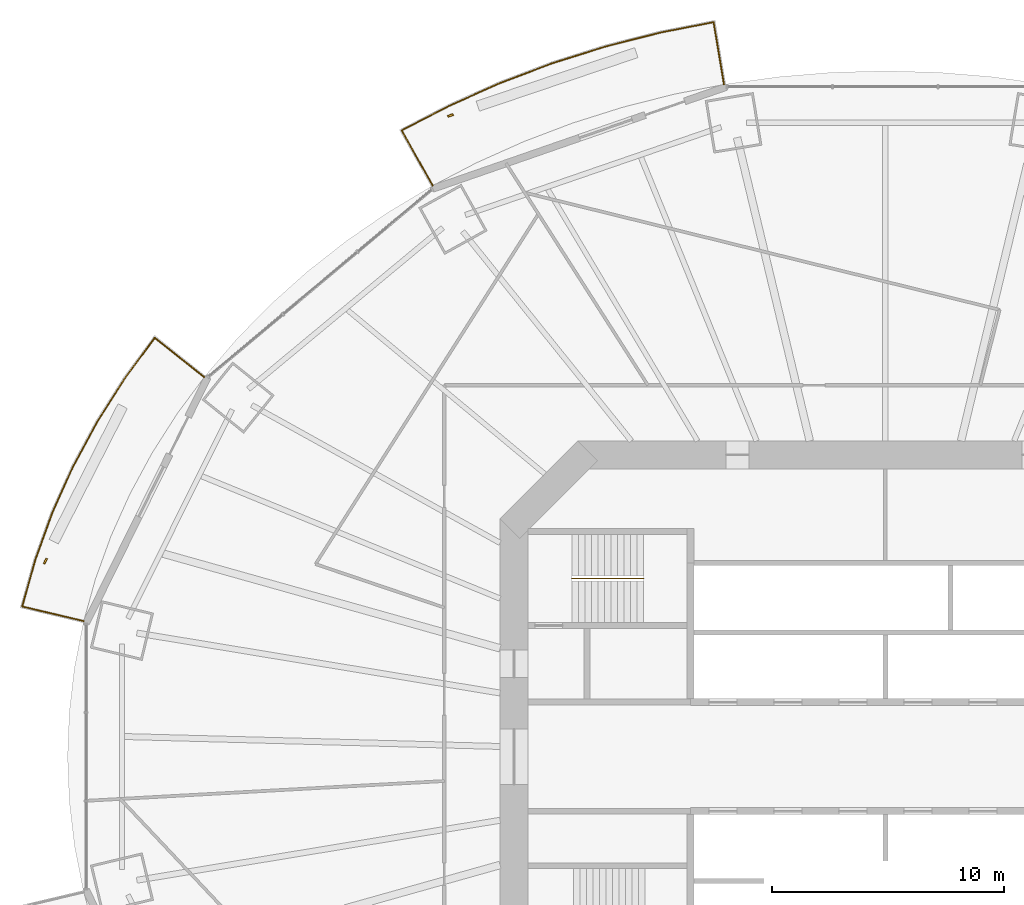
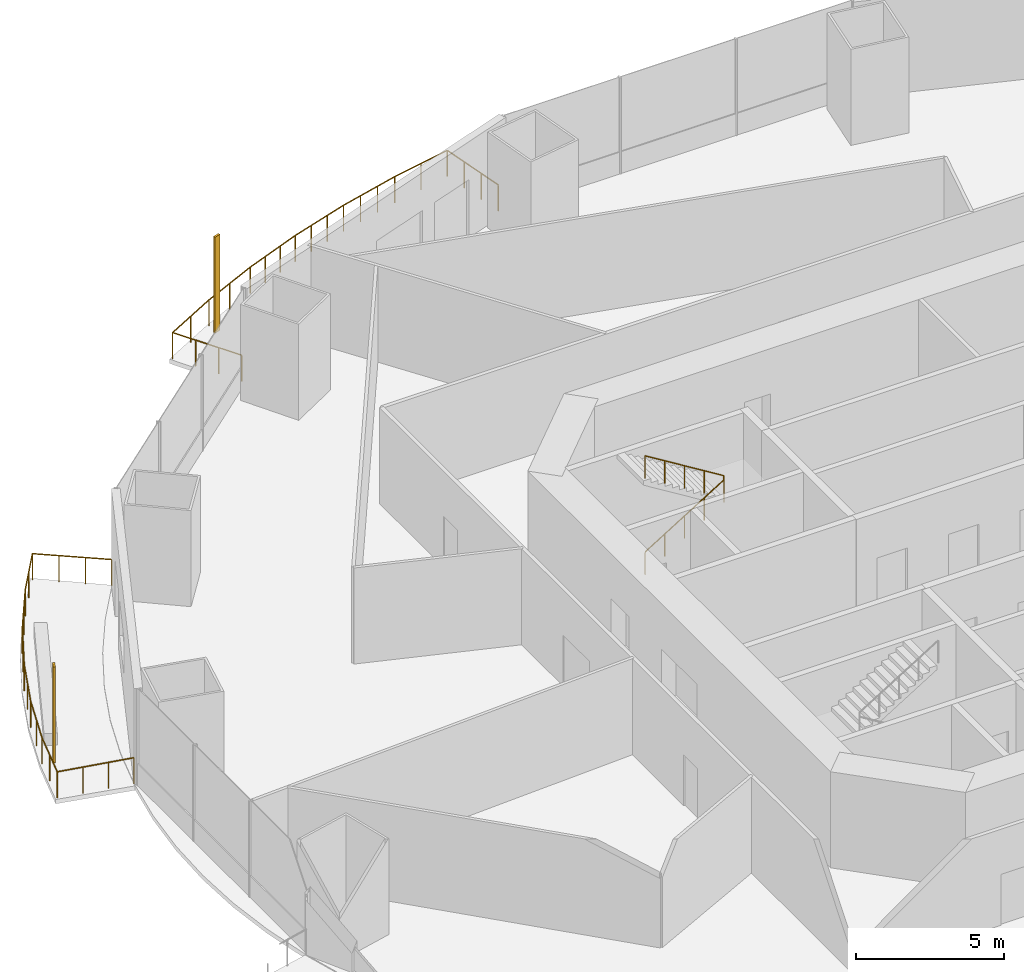
# One storey, part 19 of 22: 3 railings, 2 shading devices.
"""IFC4 building model written with IfcOpenShell, lengths in metres."""

from ifc_helpers import new_model, si_unit, direction, frame, origin, origin_2d, place, context, subcontext, project, spatial, rectangle, circle, extrude, material, material_profile, profile_set, type_object, element, save


model = new_model("IFC4")

# Units and contexts
model_context = context("Model", 3, precision=1e-05, world=origin(), true_north=direction((0.0, 1.0)))
body_context = subcontext(model_context, "Body", "Model", "MODEL_VIEW")
ifc_project = project(units=[si_unit("LENGTHUNIT", "METRE"), si_unit("AREAUNIT", "SQUARE_METRE"), si_unit("VOLUMEUNIT", "CUBIC_METRE"), si_unit("PLANEANGLEUNIT", "RADIAN"), si_unit("MASSUNIT", "GRAM", prefix="KILO")], contexts=[model_context])

# Site, building, storey
site_placement = place(None, origin())
site = spatial("IfcSite", under=ifc_project, at=site_placement, CompositionType="ELEMENT")
building_placement = place(site_placement, origin())
building = spatial("IfcBuilding", under=site, at=building_placement, Name="Marenthal Gate Tower", CompositionType="ELEMENT")
storey_placement = place(building_placement, frame((0.0, 0.0, 82.800048828125)))
storey = spatial("IfcBuildingStorey", under=building, at=storey_placement, Name="L16", CompositionType="ELEMENT", Elevation=82.800048828125)

# Railings
ifc_material_1 = material(Name="Stainless steel", Category="steel")
railing_type_1 = type_object("IfcRailingType", Name="Balcony guard 1100", PredefinedType="GUARDRAIL", material=ifc_material_1)
railing_1_placement = place(storey_placement, frame((-19.50341796875, 24.59912109375, 0.0)))
element("IfcRailing", 1, at=railing_1_placement, inside=storey, type_object=railing_type_1, Name="Balcony guard L16 bay 5", PredefinedType="GUARDRAIL", context=body_context, shape_type="SweptSolid", body=[
    extrude(circle(Radius=0.02392578125, at=origin_2d()), frame((0.0, 0.0, 1.076171875), z_axis=(-0.489023148101, 0.872146623829, -0.01471825955), x_axis=(-0.872241104505, -0.489076124557, 0.0)), (0.0, 0.0, 1.0), 2.720458984375),
    extrude(circle(Radius=0.02392578125, at=origin_2d()), frame((-1.330322265625, 2.37255859375, 1.0361328125), z_axis=(0.887216801235, 0.461352736642, 0.0), x_axis=(-0.461352736642, 0.887216801235, 0.0)), (0.0, 0.0, 1.0), 2.290771484375),
    extrude(circle(Radius=0.02392578125, at=origin_2d()), frame((0.7021484375, 3.429443359375, 1.0361328125), z_axis=(0.912542222384, 0.408982508631, 0.0), x_axis=(-0.408982508631, 0.912542222384, 0.0)), (0.0, 0.0, 1.0), 2.3876953125),
    extrude(circle(Radius=0.02392578125, at=origin_2d()), frame((2.881103515625, 4.406005859375, 1.0361328125), z_axis=(0.934801116304, 0.355171610573, 0.0), x_axis=(-0.355171610573, 0.934801116304, 0.0)), (0.0, 0.0, 1.0), 2.40380859375),
    extrude(circle(Radius=0.02392578125, at=origin_2d()), frame((5.128173828125, 5.259765625, 1.0361328125), z_axis=(0.953649791478, 0.300918718616, 0.0), x_axis=(-0.300918718616, 0.953649791478, 0.0)), (0.0, 0.0, 1.0), 2.417724609375),
    extrude(circle(Radius=0.02392578125, at=origin_2d()), frame((7.433837890625, 5.9873046875, 1.0361328125), z_axis=(0.969141273658, 0.246505966848, 0.0), x_axis=(-0.246505966848, 0.969141273658, 0.0)), (0.0, 0.0, 1.0), 2.429443359375),
    extrude(circle(Radius=0.02392578125, at=origin_2d()), frame((9.788330078125, 6.586181640625, 1.0361328125), z_axis=(0.981243578155, 0.19277199052, 0.0), x_axis=(-0.19277199052, 0.981243578155, 0.0)), (0.0, 0.0, 1.0), 2.359375),
    extrude(circle(Radius=0.02392578125, at=origin_2d()), frame((12.103515625, 7.041015625, 1.0361328125), z_axis=(0.164599482451, -0.986250661205, 0.014718819587), x_axis=(0.986357511038, 0.164617315064, 0.0)), (0.0, 0.0, 1.0), 2.72021484375),
    extrude(circle(Radius=0.02099609375, at=origin_2d()), origin(), (0.0, 0.0, 1.0), 1.052001953125),
    extrude(circle(Radius=0.02099609375, at=origin_2d()), frame((-0.443359375, 0.790771484375, -0.013427734375)), (0.0, 0.0, 1.0), 1.052001953125),
    extrude(circle(Radius=0.02099609375, at=origin_2d()), frame((-0.886962890625, 1.581787109375, -0.026611328125)), (0.0, 0.0, 1.0), 1.052001953125),
    extrude(circle(Radius=0.02099609375, at=origin_2d()), frame((-1.330322265625, 2.37255859375, -0.0400390625)), (0.0, 0.0, 1.0), 1.052001953125),
    extrude(circle(Radius=0.02099609375, at=origin_2d()), frame((-0.31396484375, 2.90087890625, -0.0400390625)), (0.0, 0.0, 1.0), 1.052001953125),
    extrude(circle(Radius=0.02099609375, at=origin_2d()), frame((0.7021484375, 3.429443359375, -0.0400390625)), (0.0, 0.0, 1.0), 1.052001953125),
    extrude(circle(Radius=0.02099609375, at=origin_2d()), frame((1.79150390625, 3.917724609375, -0.0400390625)), (0.0, 0.0, 1.0), 1.052001953125),
    extrude(circle(Radius=0.02099609375, at=origin_2d()), frame((2.881103515625, 4.406005859375, -0.0400390625)), (0.0, 0.0, 1.0), 1.052001953125),
    extrude(circle(Radius=0.02099609375, at=origin_2d()), frame((3.630126953125, 4.690673828125, -0.0400390625)), (0.0, 0.0, 1.0), 1.052001953125),
    extrude(circle(Radius=0.02099609375, at=origin_2d()), frame((4.379150390625, 4.97509765625, -0.0400390625)), (0.0, 0.0, 1.0), 1.052001953125),
    extrude(circle(Radius=0.02099609375, at=origin_2d()), frame((5.128173828125, 5.259765625, -0.0400390625)), (0.0, 0.0, 1.0), 1.052001953125),
    extrude(circle(Radius=0.02099609375, at=origin_2d()), frame((5.896728515625, 5.502197265625, -0.0400390625)), (0.0, 0.0, 1.0), 1.052001953125),
    extrude(circle(Radius=0.02099609375, at=origin_2d()), frame((6.665283203125, 5.744873046875, -0.0400390625)), (0.0, 0.0, 1.0), 1.052001953125),
    extrude(circle(Radius=0.02099609375, at=origin_2d()), frame((7.433837890625, 5.9873046875, -0.0400390625)), (0.0, 0.0, 1.0), 1.052001953125),
    extrude(circle(Radius=0.02099609375, at=origin_2d()), frame((8.21875, 6.18701171875, -0.0400390625)), (0.0, 0.0, 1.0), 1.052001953125),
    extrude(circle(Radius=0.02099609375, at=origin_2d()), frame((9.00341796875, 6.386474609375, -0.0400390625)), (0.0, 0.0, 1.0), 1.052001953125),
    extrude(circle(Radius=0.02099609375, at=origin_2d()), frame((9.788330078125, 6.586181640625, -0.0400390625)), (0.0, 0.0, 1.0), 1.052001953125),
    extrude(circle(Radius=0.02099609375, at=origin_2d()), frame((10.94580078125, 6.8134765625, -0.0400390625)), (0.0, 0.0, 1.0), 1.052001953125),
    extrude(circle(Radius=0.02099609375, at=origin_2d()), frame((12.103515625, 7.041015625, -0.0400390625)), (0.0, 0.0, 1.0), 1.052001953125),
    extrude(circle(Radius=0.02099609375, at=origin_2d()), frame((12.252685546875, 6.146728515625, -0.026611328125)), (0.0, 0.0, 1.0), 1.052001953125),
    extrude(circle(Radius=0.02099609375, at=origin_2d()), frame((12.402099609375, 5.25244140625, -0.013427734375)), (0.0, 0.0, 1.0), 1.052001953125),
    extrude(circle(Radius=0.02099609375, at=origin_2d()), frame((12.55126953125, 4.358154296875, 0.0)), (0.0, 0.0, 1.0), 1.052001953125),
])
railing_2_placement = place(storey_placement, frame((-34.53564453125, 5.84033203125, 0.0)))
element("IfcRailing", 2, at=railing_2_placement, inside=storey, type_object=railing_type_1, Name="Balcony guard L16 bay 7", PredefinedType="GUARDRAIL", context=body_context, shape_type="SweptSolid", body=[
    extrude(circle(Radius=0.02392578125, at=origin_2d()), frame((0.0, 0.0, 1.076171875), z_axis=(-0.972921871805, 0.230665056323, -0.014719482193), x_axis=(-0.230690048693, -0.973027287096, 0.0)), (0.0, 0.0, 1.0), 2.72021484375),
    extrude(circle(Radius=0.02392578125, at=origin_2d()), frame((-2.646484375, 0.62744140625, 1.0361328125), z_axis=(0.269294922849, 0.963057757628, 0.0), x_axis=(-0.963057757628, 0.269294922849, 0.0)), (0.0, 0.0, 1.0), 2.08154296875),
    extrude(circle(Radius=0.02392578125, at=origin_2d()), frame((-2.0859375, 2.632080078125, 1.0361328125), z_axis=(0.340172038454, 0.940363219322, 0.0), x_axis=(-0.940363219322, 0.340172038454, 0.0)), (0.0, 0.0, 1.0), 2.171630859375),
    extrude(circle(Radius=0.02392578125, at=origin_2d()), frame((-1.34716796875, 4.67431640625, 1.0361328125), z_axis=(0.409495490191, 0.912312141492, 0.0), x_axis=(-0.912312141492, 0.409495490191, 0.0)), (0.0, 0.0, 1.0), 2.1845703125),
    extrude(circle(Radius=0.02392578125, at=origin_2d()), frame((-0.45263671875, 6.667236328125, 1.0361328125), z_axis=(0.475449699906, 0.879742907251, 0.0), x_axis=(-0.879742907251, 0.475449699906, 0.0)), (0.0, 0.0, 1.0), 2.19921875),
    extrude(circle(Radius=0.02392578125, at=origin_2d()), frame((0.593017578125, 8.60205078125, 1.0361328125), z_axis=(0.537495639062, 0.843266528442, 0.0), x_axis=(-0.843266528442, 0.537495639062, 0.0)), (0.0, 0.0, 1.0), 2.215576171875),
    extrude(circle(Radius=0.02392578125, at=origin_2d()), frame((1.783935546875, 10.470458984375, 1.0361328125), z_axis=(0.594617358606, 0.804008828835, 0.0), x_axis=(-0.804008828835, 0.594617358606, 0.0)), (0.0, 0.0, 1.0), 2.153564453125),
    extrude(circle(Radius=0.02392578125, at=origin_2d()), frame((3.064453125, 12.201904296875, 1.0361328125), z_axis=(0.782218085053, -0.62283082954, 0.014718192514), x_axis=(0.622898300926, 0.782302822892, 0.0)), (0.0, 0.0, 1.0), 2.720458984375),
    extrude(circle(Radius=0.02099609375, at=origin_2d()), origin(), (0.0, 0.0, 1.0), 1.052001953125),
    extrude(circle(Radius=0.02099609375, at=origin_2d()), frame((-0.882080078125, 0.209228515625, -0.013427734375)), (0.0, 0.0, 1.0), 1.052001953125),
    extrude(circle(Radius=0.02099609375, at=origin_2d()), frame((-1.764404296875, 0.418212890625, -0.026611328125)), (0.0, 0.0, 1.0), 1.052001953125),
    extrude(circle(Radius=0.02099609375, at=origin_2d()), frame((-2.646484375, 0.62744140625, -0.0400390625)), (0.0, 0.0, 1.0), 1.052001953125),
    extrude(circle(Radius=0.02099609375, at=origin_2d()), frame((-2.3662109375, 1.6298828125, -0.0400390625)), (0.0, 0.0, 1.0), 1.052001953125),
    extrude(circle(Radius=0.02099609375, at=origin_2d()), frame((-2.0859375, 2.632080078125, -0.0400390625)), (0.0, 0.0, 1.0), 1.052001953125),
    extrude(circle(Radius=0.02099609375, at=origin_2d()), frame((-1.716552734375, 3.6533203125, -0.0400390625)), (0.0, 0.0, 1.0), 1.052001953125),
    extrude(circle(Radius=0.02099609375, at=origin_2d()), frame((-1.34716796875, 4.67431640625, -0.0400390625)), (0.0, 0.0, 1.0), 1.052001953125),
    extrude(circle(Radius=0.02099609375, at=origin_2d()), frame((-0.89990234375, 5.6708984375, -0.0400390625)), (0.0, 0.0, 1.0), 1.052001953125),
    extrude(circle(Radius=0.02099609375, at=origin_2d()), frame((-0.45263671875, 6.667236328125, -0.0400390625)), (0.0, 0.0, 1.0), 1.052001953125),
    extrude(circle(Radius=0.02099609375, at=origin_2d()), frame((0.0703125, 7.634765625, -0.0400390625)), (0.0, 0.0, 1.0), 1.052001953125),
    extrude(circle(Radius=0.02099609375, at=origin_2d()), frame((0.593017578125, 8.60205078125, -0.0400390625)), (0.0, 0.0, 1.0), 1.052001953125),
    extrude(circle(Radius=0.02099609375, at=origin_2d()), frame((1.1884765625, 9.5361328125, -0.0400390625)), (0.0, 0.0, 1.0), 1.052001953125),
    extrude(circle(Radius=0.02099609375, at=origin_2d()), frame((1.783935546875, 10.470458984375, -0.0400390625)), (0.0, 0.0, 1.0), 1.052001953125),
    extrude(circle(Radius=0.02099609375, at=origin_2d()), frame((2.42431640625, 11.336181640625, -0.0400390625)), (0.0, 0.0, 1.0), 1.052001953125),
    extrude(circle(Radius=0.02099609375, at=origin_2d()), frame((3.064453125, 12.201904296875, -0.0400390625)), (0.0, 0.0, 1.0), 1.052001953125),
    extrude(circle(Radius=0.02099609375, at=origin_2d()), frame((3.773681640625, 11.63720703125, -0.026611328125)), (0.0, 0.0, 1.0), 1.052001953125),
    extrude(circle(Radius=0.02099609375, at=origin_2d()), frame((4.483154296875, 11.072265625, -0.013427734375)), (0.0, 0.0, 1.0), 1.052001953125),
    extrude(circle(Radius=0.02099609375, at=origin_2d()), frame((5.1923828125, 10.507568359375, 0.0)), (0.0, 0.0, 1.0), 1.052001953125),
])
ifc_material_2 = material(Name="Stainless steel", Category="steel")
railing_type_2 = type_object("IfcRailingType", Name="Stair handrail", PredefinedType="HANDRAIL", material=ifc_material_2)
railing_3_placement = place(storey_placement, frame((-13.5, 7.675048828125, 0.1728515625)))
element("IfcRailing", 3, at=railing_3_placement, inside=storey, type_object=railing_type_2, Name="Handrail ST1", PredefinedType="HANDRAIL", context=body_context, shape_type="SweptSolid", body=[
    extrude(circle(Radius=0.0224609375, at=origin_2d()), frame((0.0, 0.0, 0.927490234375), z_axis=(0.850835241893, 0.0, 0.525432575268), x_axis=(0.0, 1.0, 0.0)), (0.0, 0.0, 1.0), 3.6201171875),
    extrude(circle(Radius=0.0224609375, at=origin_2d()), frame((3.080078125, 0.0, 2.82958984375), z_axis=(0.0, 0.0, 1.0), x_axis=(1.0, 0.0, 0.0)), (0.0, 0.0, 1.0), 0.1728515625),
    extrude(circle(Radius=0.0224609375, at=origin_2d()), frame((3.080078125, 0.0, 3.00244140625), z_axis=(-0.850835241893, 0.0, 0.525432575268), x_axis=(0.0, -1.0, 0.0)), (0.0, 0.0, 1.0), 3.6201171875),
    extrude(circle(Radius=0.02001953125, at=origin_2d()), origin(), (0.0, 0.0, 1.0), 0.905029296875),
    extrude(circle(Radius=0.02001953125, at=origin_2d()), frame((0.77001953125, 0.0, 0.4755859375)), (0.0, 0.0, 1.0), 0.905029296875),
    extrude(circle(Radius=0.02001953125, at=origin_2d()), frame((1.5400390625, 0.0, 0.951171875)), (0.0, 0.0, 1.0), 0.905029296875),
    extrude(circle(Radius=0.02001953125, at=origin_2d()), frame((2.31005859375, 0.0, 1.426513671875)), (0.0, 0.0, 1.0), 0.905029296875),
    extrude(circle(Radius=0.02001953125, at=origin_2d()), frame((3.080078125, 0.0, 1.902099609375)), (0.0, 0.0, 1.0), 0.905029296875),
    extrude(circle(Radius=0.02001953125, at=origin_2d()), frame((3.080078125, 0.0, 2.074951171875)), (0.0, 0.0, 1.0), 0.905029296875),
    extrude(circle(Radius=0.02001953125, at=origin_2d()), frame((2.31005859375, 0.0, 2.550537109375)), (0.0, 0.0, 1.0), 0.905029296875),
    extrude(circle(Radius=0.02001953125, at=origin_2d()), frame((1.5400390625, 0.0, 3.02587890625)), (0.0, 0.0, 1.0), 0.905029296875),
    extrude(circle(Radius=0.02001953125, at=origin_2d()), frame((0.77001953125, 0.0, 3.50146484375)), (0.0, 0.0, 1.0), 0.905029296875),
    extrude(circle(Radius=0.02001953125, at=origin_2d()), frame((0.0, 0.0, 3.97705078125)), (0.0, 0.0, 1.0), 0.905029296875),
])

# Shading devices
ifc_material_3 = material(Name="Terracotta", Category="masonry")
ifc_material_profile = material_profile(ifc_material_3, rectangle(XDim=0.25, YDim=0.080078125, at=origin_2d()), Name="Terracotta baguette 250x80")
ifc_profile_set = profile_set([ifc_material_profile], Name="Terracotta")
shading_device_type = type_object("IfcShadingDeviceType", Name="Terracotta BAGUETTE SCREEN 250x80", PredefinedType="USERDEFINED", material=ifc_profile_set)
for number, where, z_axis, x_axis, name in (
    (4, (-18.7353515625, 27.6201171875, -0.0400390625), (0.0, 0.0, 1.0), (-0.944634232614, -0.328125230017, 0.0), "Terracotta BAGUETTE L16 bay 5R"),
    (5, (-36.182373046875, 8.421630859375, -0.0400390625), (0.0, 0.0, 1.0), (-0.442860405886, -0.896590575959, 0.0), "Terracotta BAGUETTE L16 bay 7R"),
):
    element("IfcShadingDevice", number, at=place(storey_placement, frame(where, z_axis=z_axis, x_axis=x_axis)), inside=storey, type_object=shading_device_type, Name=name, ObjectType="BAGUETTE SCREEN", PredefinedType="USERDEFINED", context=body_context, shape_type="SweptSolid", body=[
        extrude(rectangle(XDim=0.25, YDim=0.080078125, at=origin_2d()), origin(), (0.0, 0.0, 1.0), 3.969970703125),
    ])

save(model, "model.ifc")
